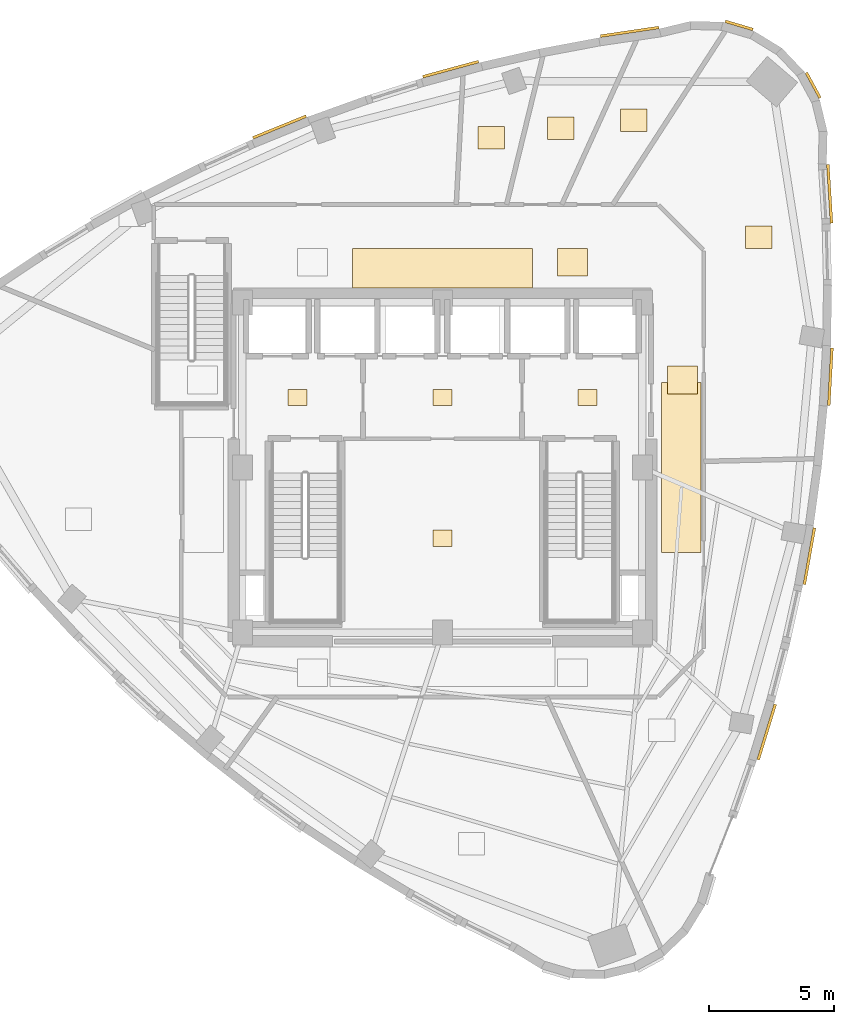
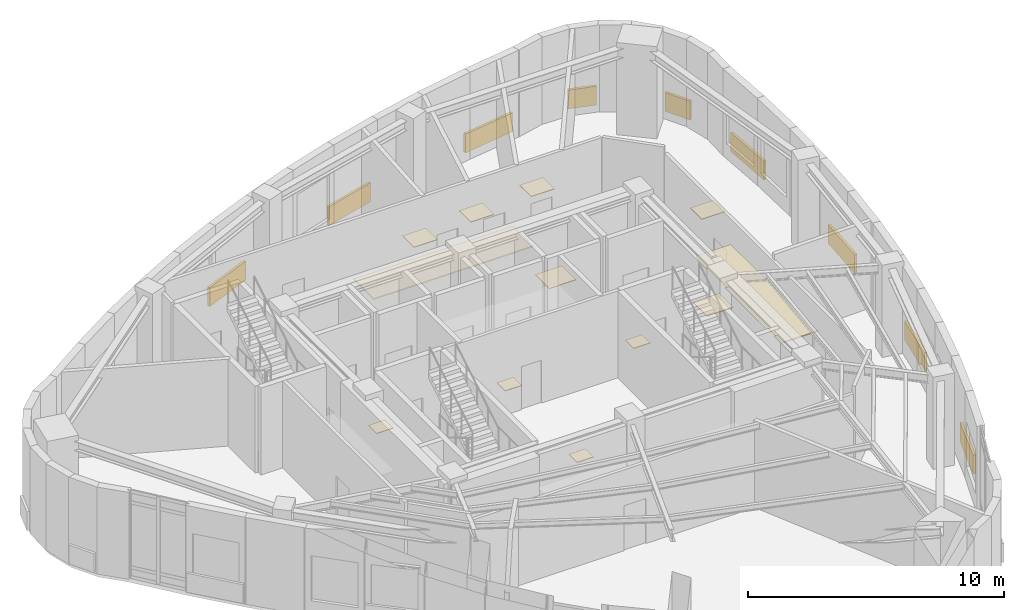
# One storey, part 13 of 13: 21 coverings.
"""IFC4 building model written with IfcOpenShell, lengths in metres."""

from ifc_helpers import new_model, si_unit, direction, frame, origin, origin_2d, place, context, subcontext, project, spatial, rectangle, extrude, material, layer, layer_set, type_object, element, save


model = new_model("IFC4")

# Units and contexts
model_context = context("Model", 3, precision=1e-05, world=origin(), true_north=direction((0.0, 1.0)))
body_context = subcontext(model_context, "Body", "Model", "MODEL_VIEW")
ifc_project = project(units=[si_unit("LENGTHUNIT", "METRE"), si_unit("AREAUNIT", "SQUARE_METRE"), si_unit("VOLUMEUNIT", "CUBIC_METRE"), si_unit("PLANEANGLEUNIT", "RADIAN"), si_unit("MASSUNIT", "GRAM", prefix="KILO")], contexts=[model_context])

# Site, building, storey
site_placement = place(None, origin())
site = spatial("IfcSite", under=ifc_project, at=site_placement, CompositionType="ELEMENT")
building_placement = place(site_placement, origin())
building = spatial("IfcBuilding", under=site, at=building_placement, Name="Ndelora Gate Hotel", CompositionType="ELEMENT")
storey_placement = place(building_placement, frame((0.0, 0.0, 272.800048828125)))
storey = spatial("IfcBuildingStorey", under=building, at=storey_placement, Name="L68", CompositionType="ELEMENT", Elevation=272.800048828125)

# Coverings
ifc_material_1 = material(Name="Perforated Acoustic Gypsum Board", Category="gypsum")
ifc_layer_1 = layer(ifc_material_1, 0.054931640625)
ifc_layer_set_1 = layer_set([ifc_layer_1], Name="Perforated Acoustic Gypsum Board")
covering_type_1 = type_object("IfcCoveringType", Name="COV-CEIL-AC60", PredefinedType="CEILING", material=ifc_layer_set_1)
covering_1_placement = place(storey_placement, frame((0.0, 7.9599609375, 2.65234375), z_axis=(0.0, 0.0, 1.0), x_axis=(1.0, 0.0, 0.0)))
element("IfcCovering", 1, at=covering_1_placement, inside=storey, type_object=covering_type_1, Name="L68 Guest Corridor Acoustic Ceiling N", PredefinedType="CEILING", context=body_context, shape_type="SweptSolid", body=[
    extrude(rectangle(XDim=7.199951171875, YDim=1.580078125, at=origin_2d()), origin(), (0.0, 0.0, 1.0), 0.054931640625),
])
covering_2_placement = place(storey_placement, frame((9.550048828125, 0.0, 2.65234375), z_axis=(0.0, 0.0, 1.0), x_axis=(1.0, 0.0, 0.0)))
element("IfcCovering", 2, at=covering_2_placement, inside=storey, type_object=covering_type_1, Name="L68 Guest Corridor Acoustic Ceiling E", PredefinedType="CEILING", context=body_context, shape_type="SweptSolid", body=[
    extrude(rectangle(XDim=1.580078125, YDim=6.800048828125, at=origin_2d()), origin(), (0.0, 0.0, 1.0), 0.054931640625),
])
ifc_material_2 = material(Name="Terracotta Fired Clay Brick Slip Cladding", Category="masonry")
ifc_layer_2 = layer(ifc_material_2, 0.110107421875)
ifc_layer_set_2 = layer_set([ifc_layer_2], Name="Terracotta Fired Clay Brick Slip Cladding")
covering_type_2 = type_object("IfcCoveringType", Name="COV-CLAD-BRK", PredefinedType="CLADDING", material=ifc_layer_set_2)
covering_3_placement = place(storey_placement, frame((12.968994140625, -10.581787109375, 0.10009765625), z_axis=(0.0, 0.0, 1.0), x_axis=(0.293706672624, 0.955895596002, 0.0)))
element("IfcCovering", 3, at=covering_3_placement, inside=storey, type_object=covering_type_2, Name="L68 Rounded-Corner Brick Cladding Band 31", PredefinedType="CLADDING", context=body_context, shape_type="SweptSolid", body=[
    extrude(rectangle(XDim=2.322021484375, YDim=0.110107421875, at=origin_2d()), origin(), (0.0, 0.0, 1.0), 0.89990234375),
])
covering_4_placement = place(storey_placement, frame((14.676513671875, -3.542724609375, 0.10009765625), z_axis=(0.0, 0.0, 1.0), x_axis=(0.176397599067, 0.984318996588, 0.0)))
element("IfcCovering", 4, at=covering_4_placement, inside=storey, type_object=covering_type_2, Name="L68 Rounded-Corner Brick Cladding Band 34", PredefinedType="CLADDING", context=body_context, shape_type="SweptSolid", body=[
    extrude(rectangle(XDim=2.298095703125, YDim=0.110107421875, at=origin_2d()), origin(), (0.0, 0.0, 1.0), 0.89990234375),
])
covering_5_placement = place(storey_placement, frame((15.516845703125, 3.6337890625, 0.10009765625), z_axis=(0.0, 0.0, 1.0), x_axis=(0.055995764929, 0.998431006284, 0.0)))
element("IfcCovering", 5, at=covering_5_placement, inside=storey, type_object=covering_type_2, Name="L68 Rounded-Corner Brick Cladding Band 37", PredefinedType="CLADDING", context=body_context, shape_type="SweptSolid", body=[
    extrude(rectangle(XDim=2.31005859375, YDim=0.110107421875, at=origin_2d()), origin(), (0.0, 0.0, 1.0), 0.89990234375),
])
covering_6_placement = place(storey_placement, frame((15.489501953125, 10.946533203125, 0.10009765625), z_axis=(0.0, 0.0, 1.0), x_axis=(-0.062267945373, 0.998059468659, 0.0)))
element("IfcCovering", 6, at=covering_6_placement, inside=storey, type_object=covering_type_2, Name="L68 Rounded-Corner Brick Cladding Band 40", PredefinedType="CLADDING", context=body_context, shape_type="SweptSolid", body=[
    extrude(rectangle(XDim=2.35693359375, YDim=0.110107421875, at=origin_2d()), origin(), (0.0, 0.0, 1.0), 0.89990234375),
])
for number, where, z_axis, x_axis, name in (
    (7, (14.828369140625, 15.284912109375, 0.10009765625), (0.0, 0.0, 1.0), (-0.47715876026, 0.878817112662, 0.0), "L68 Rounded-Corner Brick Cladding Band 43"),
    (8, (11.867919921875, 17.68212890625, 0.10009765625), (0.0, 0.0, 1.0), (-0.958819734868, 0.284015344704, 0.0), "L68 Rounded-Corner Brick Cladding Band 46"),
):
    element("IfcCovering", number, at=place(storey_placement, frame(where, z_axis=z_axis, x_axis=x_axis)), inside=storey, type_object=covering_type_2, Name=name, PredefinedType="CLADDING", context=body_context, shape_type="SweptSolid", body=[
        extrude(rectangle(XDim=1.153076171875, YDim=0.110107421875, at=origin_2d()), origin(), (0.0, 0.0, 1.0), 0.89990234375),
    ])
covering_7_placement = place(storey_placement, frame((7.48681640625, 17.427001953125, 0.10009765625), z_axis=(0.0, 0.0, 1.0), x_axis=(0.989195708464, 0.146600990296, 0.0)))
element("IfcCovering", 9, at=covering_7_placement, inside=storey, type_object=covering_type_2, Name="L68 Rounded-Corner Brick Cladding Band 49", PredefinedType="CLADDING", context=body_context, shape_type="SweptSolid", body=[
    extrude(rectangle(XDim=2.35693359375, YDim=0.110107421875, at=origin_2d()), origin(), (0.0, 0.0, 1.0), 0.89990234375),
])
covering_8_placement = place(storey_placement, frame((0.328125, 15.93310546875, 0.10009765625), z_axis=(0.0, 0.0, 1.0), x_axis=(0.96497071913, 0.262357601798, 0.0)))
element("IfcCovering", 10, at=covering_8_placement, inside=storey, type_object=covering_type_2, Name="L68 Rounded-Corner Brick Cladding Band 52", PredefinedType="CLADDING", context=body_context, shape_type="SweptSolid", body=[
    extrude(rectangle(XDim=2.31005859375, YDim=0.110107421875, at=origin_2d()), origin(), (0.0, 0.0, 1.0), 0.89990234375),
])
covering_9_placement = place(storey_placement, frame((-6.516845703125, 13.619140625, 0.10009765625), z_axis=(0.0, 0.0, 1.0), x_axis=(0.926134141791, 0.377194315187, 0.0)))
element("IfcCovering", 11, at=covering_9_placement, inside=storey, type_object=covering_type_2, Name="L68 Rounded-Corner Brick Cladding Band 55", PredefinedType="CLADDING", context=body_context, shape_type="SweptSolid", body=[
    extrude(rectangle(XDim=2.298095703125, YDim=0.110107421875, at=origin_2d()), origin(), (0.0, 0.0, 1.0), 0.89990234375),
])
ifc_material_3 = material(Name="Engineered Highland Oak Parquet", Category="wood")
ifc_layer_3 = layer(ifc_material_3, 0.030029296875)
ifc_layer_set_3 = layer_set([ifc_layer_3], Name="Engineered Highland Oak Parquet")
covering_type_3 = type_object("IfcCoveringType", Name="COV-FLR-PARQ", PredefinedType="FLOORING", material=ifc_layer_set_3)
for number, where, z_axis, x_axis, name in (
    (12, (12.652099609375, 9.2119140625, 0.0), (0.0, 0.0, 1.0), (1.0, 0.0, 0.0), "L68 Crown Sommelier Study Oak Parquet Flooring"),
    (13, (7.64892578125, 13.890380859375, 0.0), (0.0, 0.0, 1.0), (1.0, 0.0, 0.0), "L68 Male Public Restroom Oak Parquet Flooring"),
    (14, (4.731689453125, 13.566162109375, 0.0), (0.0, 0.0, 1.0), (1.0, 0.0, 0.0), "L68 Female Public Restroom Oak Parquet Flooring"),
    (15, (1.952880859375, 13.18603515625, 0.0), (0.0, 0.0, 1.0), (1.0, 0.0, 0.0), "L68 Accessible WC Oak Parquet Flooring"),
):
    element("IfcCovering", number, at=place(storey_placement, frame(where, z_axis=z_axis, x_axis=x_axis)), inside=storey, type_object=covering_type_3, Name=name, PredefinedType="FLOORING", context=body_context, shape_type="SweptSolid", body=[
        extrude(rectangle(XDim=1.050048828125, YDim=0.89990234375, at=origin_2d()), origin(), (0.0, 0.0, 1.0), 0.030029296875),
    ])
ifc_material_4 = material(Name="Polished Highland Stone Terrazzo", Category="masonry")
ifc_layer_4 = layer(ifc_material_4, 0.034912109375)
ifc_layer_set_4 = layer_set([ifc_layer_4], Name="Polished Highland Stone Terrazzo")
covering_type_4 = type_object("IfcCoveringType", Name="COV-FLR-TERZ", PredefinedType="FLOORING", material=ifc_layer_set_4)
for number, where, z_axis, x_axis, name in (
    (16, (5.199951171875, 8.199951171875, 0.0), (0.0, 0.0, 1.0), (1.0, 0.0, 0.0), "L68 Corridor Threshold Terrazzo Inlay NE"),
    (17, (9.60009765625, 3.5, 0.0), (0.0, 0.0, 1.0), (1.0, 0.0, 0.0), "L68 Corridor Threshold Terrazzo Inlay E"),
):
    element("IfcCovering", number, at=place(storey_placement, frame(where, z_axis=z_axis, x_axis=x_axis)), inside=storey, type_object=covering_type_4, Name=name, PredefinedType="FLOORING", context=body_context, shape_type="SweptSolid", body=[
        extrude(rectangle(XDim=1.199951171875, YDim=1.10009765625, at=origin_2d()), origin(), (0.0, 0.0, 1.0), 0.034912109375),
    ])
ifc_material_5 = material(Name="Non-Slip Porcelain Wet-Room Tile", Category="ceramic")
ifc_layer_5 = layer(ifc_material_5, 0.02490234375)
ifc_layer_set_5 = layer_set([ifc_layer_5], Name="Non-Slip Porcelain Wet-Room Tile")
covering_type_5 = type_object("IfcCoveringType", Name="COV-FLR-TILE", PredefinedType="FLOORING", material=ifc_layer_set_5)
for number, where, z_axis, x_axis, name in (
    (18, (-5.800048828125, 2.800048828125, 0.0), (0.0, 0.0, 1.0), (1.0, 0.0, 0.0), "L68 Firefighting Lift Lobby West Porcelain Tile Flooring"),
    (19, (5.800048828125, 2.800048828125, 0.0), (0.0, 0.0, 1.0), (1.0, 0.0, 0.0), "L68 Firefighting Lift Lobby East Porcelain Tile Flooring"),
    (20, (0.0, 2.800048828125, 0.0), (0.0, 0.0, 1.0), (1.0, 0.0, 0.0), "L68 Central Passenger Lift Lobby Porcelain Tile Flooring"),
    (21, (0.0, -2.824951171875, 0.0), (0.0, 0.0, 1.0), (1.0, 0.0, 0.0), "L68 Core Electrical and Linen Service Store Porcelain Tile Flooring"),
):
    element("IfcCovering", number, at=place(storey_placement, frame(where, z_axis=z_axis, x_axis=x_axis)), inside=storey, type_object=covering_type_5, Name=name, PredefinedType="FLOORING", context=body_context, shape_type="SweptSolid", body=[
        extrude(rectangle(XDim=0.75, YDim=0.64990234375, at=origin_2d()), origin(), (0.0, 0.0, 1.0), 0.02490234375),
    ])

save(model, "model.ifc")
